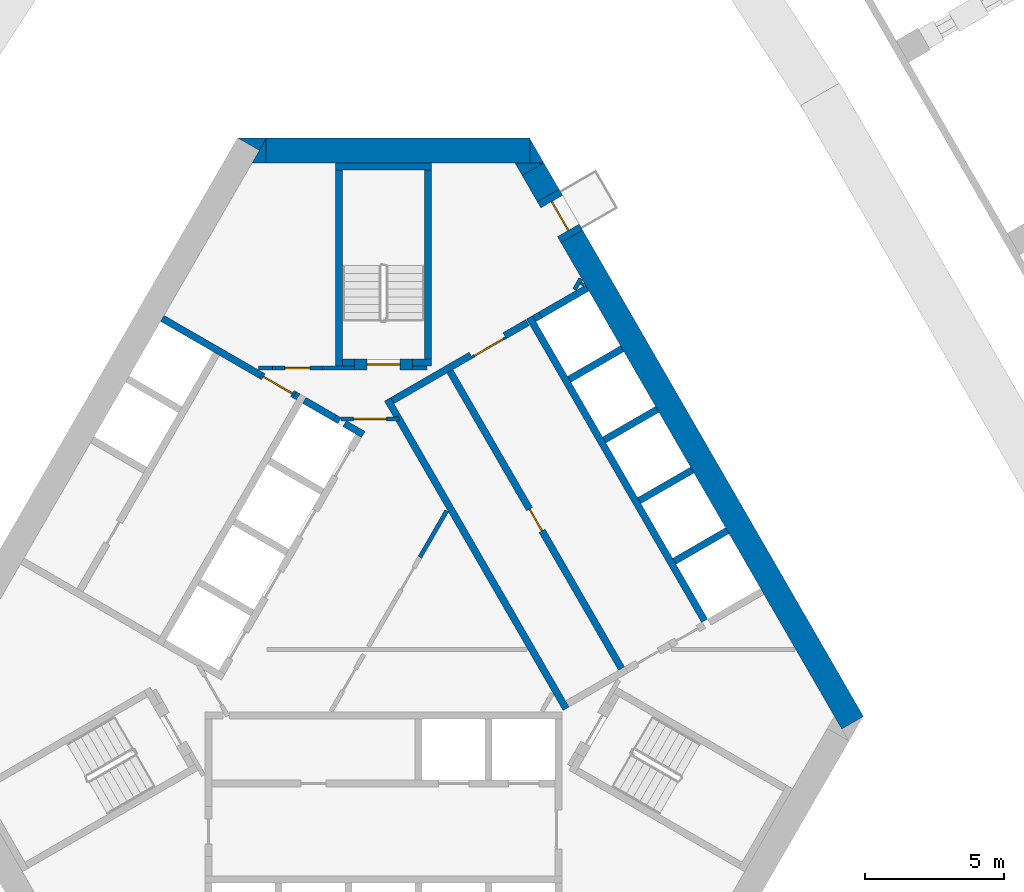
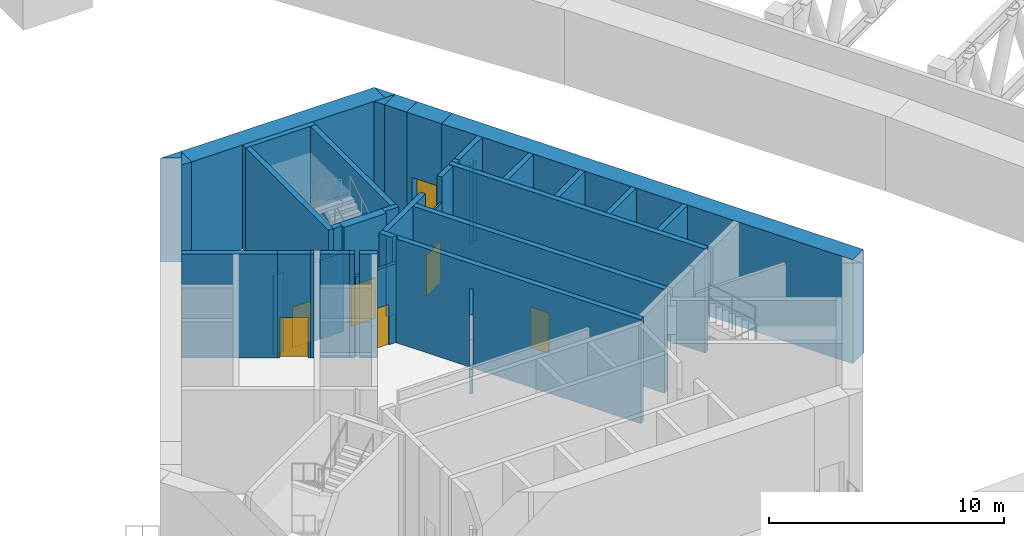
# One storey, part 18 of 37: 40 walls, 7 doors, 7 openings.
"""IFC4 building model written with IfcOpenShell, lengths in metres."""

from ifc_helpers import new_model, si_unit, direction, frame, frame_2d, origin, place, context, subcontext, project, spatial, polyline, rectangle, outline, extrude, material, layer, layer_set, type_object, element, fill, save


model = new_model("IFC4")

# Units and contexts
model_context = context("Model", 3, precision=1e-05, world=origin(), true_north=direction((0.0, 1.0)))
body_context = subcontext(model_context, "Body", "Model", "MODEL_VIEW")
ifc_project = project(units=[si_unit("LENGTHUNIT", "METRE"), si_unit("AREAUNIT", "SQUARE_METRE"), si_unit("VOLUMEUNIT", "CUBIC_METRE"), si_unit("PLANEANGLEUNIT", "RADIAN"), si_unit("MASSUNIT", "GRAM", prefix="KILO")], contexts=[model_context])

# Site, building, storey
site_placement = place(None, origin())
site = spatial("IfcSite", under=ifc_project, at=site_placement, CompositionType="ELEMENT")
building_placement = place(site_placement, origin())
building = spatial("IfcBuilding", under=site, at=building_placement, Name="Mestral Congress Tower", CompositionType="ELEMENT")
storey_placement = place(building_placement, frame((0.0, 0.0, 16.199951171875)))
storey = spatial("IfcBuildingStorey", under=building, at=storey_placement, Name="L03", CompositionType="ELEMENT", Elevation=16.199951171875)

# Walls
ifc_material_1 = material(Name="Fire-rated board partition")
ifc_layer_1 = layer(ifc_material_1, 0.14990234375)
ifc_layer_set_1 = layer_set([ifc_layer_1], Name="Fire-rated board partition")
wall_type_1 = type_object("IfcWallType", Name="Core partition 150", PredefinedType="PARTITIONING", material=ifc_layer_set_1)
wall_1_placement = place(storey_placement, frame((-3.99658203125, 8.625244140625, 0.0), z_axis=(0.0, 0.0, 1.0), x_axis=(-1.0, 0.0, 0.0)))
element("IfcWall", 1, at=wall_1_placement, inside=storey, type_object=wall_type_1, Name="L03 core wall", PredefinedType="PARTITIONING", context=body_context, shape_type="SweptSolid", body=[
    extrude(rectangle(XDim=0.502197265625, YDim=0.14990234375, at=frame_2d((0.2509765625, 0.0))), origin(), (0.0, 0.0, 1.0), 4.10009765625),
])
wall_2_placement = place(storey_placement, frame((-2.1962890625, 8.62548828125, 0.0), z_axis=(0.0, 0.0, 1.0), x_axis=(1.0, 0.0, 0.0)))
element("IfcWall", 2, at=wall_2_placement, inside=storey, type_object=wall_type_1, Name="L03 core wall", PredefinedType="PARTITIONING", context=body_context, shape_type="SweptSolid", body=[
    extrude(rectangle(XDim=1.146240234375, YDim=0.14990234375, at=frame_2d((0.5732421875, 0.0))), origin(), (0.0, 0.0, 1.0), 4.10009765625),
])
wall_3_placement = place(storey_placement, frame((1.311767578125, 1.822021484375, 0.0), z_axis=(0.0, 0.0, 1.0), x_axis=(0.500003549559, 0.866023354436, 0.0)))
element("IfcWall", 3, at=wall_3_placement, inside=storey, type_object=wall_type_1, Name="L03 core wall", PredefinedType="PARTITIONING", context=body_context, shape_type="SweptSolid", body=[
    extrude(rectangle(XDim=1.9296875, YDim=0.14990234375, at=frame_2d((0.96484375, 0.0))), origin(), (0.0, 0.0, 1.0), 4.10009765625),
])
wall_4_placement = place(storey_placement, frame((1.050048828125, 8.62548828125, 0.0), z_axis=(0.0, 0.0, 1.0), x_axis=(1.0, 0.0, 0.0)))
element("IfcWall", 4, at=wall_4_placement, inside=storey, type_object=wall_type_1, Name="L03 core wall", PredefinedType="PARTITIONING", context=body_context, shape_type="SweptSolid", body=[
    extrude(rectangle(XDim=0.513916015625, YDim=0.14990234375, at=frame_2d((0.2568359375, 0.0))), origin(), (0.0, 0.0, 1.0), 4.10009765625),
])
wall_5_placement = place(storey_placement, frame((6.87158203125, 11.44970703125, 0.0), z_axis=(0.0, 0.0, 1.0), x_axis=(0.499846793097, 0.866113839764, 0.0)))
element("IfcWall", 5, at=wall_5_placement, inside=storey, type_object=wall_type_1, Name="L03 core wall", PredefinedType="PARTITIONING", context=body_context, shape_type="SweptSolid", body=[
    extrude(rectangle(XDim=0.453369140625, YDim=0.14990234375, at=frame_2d((0.2265625, 0.0))), origin(), (0.0, 0.0, 1.0), 4.10009765625),
])
wall_6_placement = place(storey_placement, frame((7.13134765625, 11.599609375, 0.0), z_axis=(0.0, 0.0, 1.0), x_axis=(0.498600033135, 0.866832167699, 0.0)))
element("IfcWall", 6, at=wall_6_placement, inside=storey, type_object=wall_type_1, Name="L03 core wall", PredefinedType="PARTITIONING", context=body_context, shape_type="SweptSolid", body=[
    extrude(rectangle(XDim=0.106689453125, YDim=0.14990234375, at=frame_2d((0.05322265625, 0.0))), origin(), (0.0, 0.0, 1.0), 4.10009765625),
])

# Wall, opening, door
wall_7_placement = place(storey_placement, frame((-2.1962890625, 8.625, 0.0), z_axis=(0.0, 0.0, 1.0), x_axis=(-1.0, 0.0, 0.0)))
wall_7 = element("IfcWall", 7, at=wall_7_placement, inside=storey, type_object=wall_type_1, Name="L03 door wall", PredefinedType="PARTITIONING", context=body_context, shape_type="SweptSolid", body=[
    extrude(rectangle(XDim=1.800048828125, YDim=0.14990234375, at=frame_2d((0.89990234375, 0.0))), origin(), (0.0, 0.0, 1.0), 4.10009765625),
])
opening_1_placement = place(wall_7_placement, frame((0.449951171875, 0.0, 0.0)))
opening_1 = element("IfcOpeningElement", 8, at=opening_1_placement, cuts=wall_7, Name="Opening TD2", PredefinedType="OPENING", context=body_context, shape_type="SweptSolid", body=[
    extrude(rectangle(XDim=0.89990234375, YDim=2.10009765625, at=frame_2d((0.449951171875, 1.050048828125))), frame((0.0, 0.0849609375, 0.0), z_axis=(0.0, -1.0, 0.0), x_axis=(1.0, 0.0, 0.0)), (0.0, 0.0, 1.0), 0.169921875),
])
ifc_material_2 = material(Name="Fire-rated steel door set", Category="steel")
door_type_1 = type_object("IfcDoorType", Name="Core door SR 900x2100", OperationType="SINGLE_SWING_LEFT", PredefinedType="DOOR", material=ifc_material_2)
door_1_placement = place(opening_1_placement, origin())
door_1 = element("IfcDoor", 9, at=door_1_placement, inside=storey, type_object=door_type_1, Name="Door TD2", OperationType="SINGLE_SWING_LEFT", OverallHeight=2.10009765625, OverallWidth=0.89990234375, PredefinedType="DOOR", context=body_context, shape_type="SweptSolid", body=[
    extrude(rectangle(XDim=0.89990234375, YDim=2.10009765625, at=frame_2d((0.449951171875, 1.050048828125))), frame((0.0, 0.02490234375, 0.0), z_axis=(0.0, -1.0, 0.0), x_axis=(1.0, 0.0, 0.0)), (0.0, 0.0, 1.0), 0.050048828125),
])
fill(opening_1, door_1)

wall_8_placement = place(storey_placement, frame((-1.534423828125, 6.800048828125, 0.0), z_axis=(0.0, 0.0, 1.0), x_axis=(1.0, 0.0, 0.0)))
wall_8 = element("IfcWall", 10, at=wall_8_placement, inside=storey, type_object=wall_type_1, Name="L03 door wall", PredefinedType="PARTITIONING", context=body_context, shape_type="SweptSolid", body=[
    extrude(rectangle(XDim=2.099853515625, YDim=0.14990234375, at=frame_2d((1.0498046875, 0.0))), origin(), (0.0, 0.0, 1.0), 4.10009765625),
])
opening_2_placement = place(wall_8_placement, frame((0.449951171875, 0.0, 0.0)))
opening_2 = element("IfcOpeningElement", 11, at=opening_2_placement, cuts=wall_8, Name="Opening CD2-FF", PredefinedType="OPENING", context=body_context, shape_type="SweptSolid", body=[
    extrude(rectangle(XDim=1.199951171875, YDim=2.10009765625, at=frame_2d((0.60009765625, 1.050048828125))), frame((0.0, 0.0849609375, 0.0), z_axis=(0.0, -1.0, 0.0), x_axis=(1.0, 0.0, 0.0)), (0.0, 0.0, 1.0), 0.169921875),
])
door_type_2 = type_object("IfcDoorType", Name="Core door CD 1200x2100", OperationType="SINGLE_SWING_LEFT", PredefinedType="DOOR", material=ifc_material_2)
door_2_placement = place(opening_2_placement, origin())
door_2 = element("IfcDoor", 12, at=door_2_placement, inside=storey, type_object=door_type_2, Name="Door CD2-FF", OperationType="SINGLE_SWING_LEFT", OverallHeight=2.10009765625, OverallWidth=1.199951171875, PredefinedType="DOOR", context=body_context, shape_type="SweptSolid", body=[
    extrude(rectangle(XDim=1.199951171875, YDim=2.10009765625, at=frame_2d((0.60009765625, 1.050048828125))), frame((0.0, 0.02490234375, 0.0), z_axis=(0.0, -1.0, 0.0), x_axis=(1.0, 0.0, 0.0)), (0.0, 0.0, 1.0), 0.050048828125),
])
fill(opening_2, door_2)

ifc_layer_2 = layer(ifc_material_1, 0.090087890625)
ifc_layer_set_2 = layer_set([ifc_layer_2], Name="Fire-rated board partition")
wall_type_2 = type_object("IfcWallType", Name="Core partition 150 door-wall 90", PredefinedType="PARTITIONING", material=ifc_layer_set_2)
wall_9_placement = place(storey_placement, frame((3.182861328125, 9.02001953125, 0.0), z_axis=(0.0, 0.0, 1.0), x_axis=(0.866034573852, 0.49998411664, 0.0)))
wall_9 = element("IfcWall", 13, at=wall_9_placement, inside=storey, type_object=wall_type_2, Name="L03 door wall", PredefinedType="PARTITIONING", context=body_context, shape_type="SweptSolid", body=[
    extrude(rectangle(XDim=1.39990234375, YDim=0.090087890625, at=frame_2d((0.699951171875, 0.0))), origin(), (0.0, 0.0, 1.0), 4.10009765625),
])
opening_3_placement = place(wall_9_placement, frame((0.10009765625, 0.0, 0.0)))
opening_3 = element("IfcOpeningElement", 14, at=opening_3_placement, cuts=wall_9, Name="Opening LB1-WL2", PredefinedType="OPENING", context=body_context, shape_type="SweptSolid", body=[
    extrude(rectangle(XDim=1.199951171875, YDim=2.10009765625, at=frame_2d((0.60009765625, 1.050048828125))), frame((0.0, 0.054931640625, 0.0), z_axis=(0.0, -1.0, 0.0), x_axis=(1.0, 0.0, 0.0)), (0.0, 0.0, 1.0), 0.110107421875),
])
door_type_3 = type_object("IfcDoorType", Name="Core door LB 1200x2100", OperationType="SINGLE_SWING_LEFT", PredefinedType="DOOR", material=ifc_material_2)
door_3_placement = place(opening_3_placement, origin())
door_3 = element("IfcDoor", 15, at=door_3_placement, inside=storey, type_object=door_type_3, Name="Door LB1-WL2", OperationType="SINGLE_SWING_LEFT", OverallHeight=2.10009765625, OverallWidth=1.199951171875, PredefinedType="DOOR", context=body_context, shape_type="SweptSolid", body=[
    extrude(rectangle(XDim=1.199951171875, YDim=2.10009765625, at=frame_2d((0.60009765625, 1.050048828125))), frame((0.0, 0.02490234375, 0.0), z_axis=(0.0, -1.0, 0.0), x_axis=(1.0, 0.0, 0.0)), (0.0, 0.0, 1.0), 0.050048828125),
])
fill(opening_3, door_3)

# Walls
ifc_material_3 = material(Name="Concrete C60/75", Category="concrete")
ifc_layer_3 = layer(ifc_material_3, 0.89990234375)
ifc_layer_set_3 = layer_set([ifc_layer_3], Name="Concrete C60/75")
wall_type_3 = type_object("IfcWallType", Name="Core wall RC 900", PredefinedType="SOLIDWALL", material=ifc_layer_set_3)
wall_10_placement = place(storey_placement, frame((6.77587890625, 13.36376953125, 0.0), z_axis=(0.0, 0.0, 1.0), x_axis=(0.500004177138, -0.8660229921, 0.0)))
element("IfcWall", 16, at=wall_10_placement, inside=storey, type_object=wall_type_3, Name="L03 core wall", PredefinedType="SOLIDWALL", context=body_context, shape_type="SweptSolid", body=[
    extrude(rectangle(XDim=20.203857421875, YDim=0.89990234375, at=frame_2d((10.10205078125, 0.0))), origin(), (0.0, 0.0, 1.0), 5.400146484375),
])
placement = place(storey_placement, origin())
element("IfcWall", 17, at=placement, inside=storey, type_object=wall_type_3, Name="L03 core wall", PredefinedType="SOLIDWALL", context=body_context, shape_type="SweptSolid", body=[
    extrude(outline(polyline([(-4.214599609375, 16.89990234375), (-4.46875, 16.460205078125), (-5.230712890625, 16.89990234375), (-4.214599609375, 16.89990234375)])), origin(), (0.0, 0.0, 1.0), 5.400146484375),
])
wall_12_placement = place(storey_placement, frame((-4.224365234375, 16.449951171875, 0.0), z_axis=(0.0, 0.0, 1.0), x_axis=(1.0, 0.0, 0.0)))
element("IfcWall", 18, at=wall_12_placement, inside=storey, type_object=wall_type_3, Name="L03 core wall", PredefinedType="SOLIDWALL", context=body_context, shape_type="SweptSolid", body=[
    extrude(rectangle(XDim=9.48779296875, YDim=0.89990234375, at=frame_2d((4.743896484375, 0.0))), origin(), (0.0, 0.0, 1.0), 5.400146484375),
])
element("IfcWall", 19, at=placement, inside=storey, type_object=wall_type_3, Name="L03 core wall", PredefinedType="SOLIDWALL", context=body_context, shape_type="SweptSolid", body=[
    extrude(outline(polyline([(5.265380859375, 16.0), (5.265380859375, 16.8798828125), (5.7734375, 16.0), (5.265380859375, 16.0)])), origin(), (0.0, 0.0, 1.0), 5.400146484375),
])
element("IfcWall", 20, at=placement, inside=storey, type_object=wall_type_3, Name="L03 core wall", PredefinedType="SOLIDWALL", context=body_context, shape_type="SweptSolid", body=[
    extrude(outline(polyline([(-4.734375, 16.0), (-4.226318359375, 16.8798828125), (-4.226318359375, 16.0), (-4.734375, 16.0)])), origin(), (0.0, 0.0, 1.0), 5.400146484375),
])
wall_15_placement = place(storey_placement, frame((5.92578125, 14.836181640625, 0.0), z_axis=(0.0, 0.0, 1.0), x_axis=(-0.500076735116, 0.865981096212, 0.0)))
element("IfcWall", 21, at=wall_15_placement, inside=storey, type_object=wall_type_3, Name="L03 core wall", PredefinedType="SOLIDWALL", context=body_context, shape_type="SweptSolid", body=[
    extrude(rectangle(XDim=1.093505859375, YDim=0.89990234375, at=frame_2d((0.546875, 0.0))), origin(), (0.0, 0.0, 1.0), 5.400146484375),
])
element("IfcWall", 22, at=placement, inside=storey, type_object=wall_type_3, Name="L03 core wall", PredefinedType="SOLIDWALL", context=body_context, shape_type="SweptSolid", body=[
    extrude(outline(polyline([(4.734375, 16.0), (5.750244140625, 16.0), (4.98828125, 15.56005859375), (4.734375, 16.0)])), origin(), (0.0, 0.0, 1.0), 5.400146484375),
])

# Wall, opening, door
wall_17_placement = place(storey_placement, frame((5.92578125, 14.836181640625, 0.0), z_axis=(0.0, 0.0, 1.0), x_axis=(0.500062241894, -0.865989465428, 0.0)))
wall_17 = element("IfcWall", 23, at=wall_17_placement, inside=storey, type_object=wall_type_3, Name="L03 door wall", PredefinedType="SOLIDWALL", context=body_context, shape_type="SweptSolid", body=[
    extrude(rectangle(XDim=1.699951171875, YDim=0.89990234375, at=frame_2d((0.85009765625, 0.0))), origin(), (0.0, 0.0, 1.0), 5.400146484375),
])
opening_4_placement = place(wall_17_placement, frame((0.25, 0.0, 0.0)))
opening_4 = element("IfcOpeningElement", 24, at=opening_4_placement, cuts=wall_17, Name="Opening XD2", PredefinedType="OPENING", context=body_context, shape_type="SweptSolid", body=[
    extrude(rectangle(XDim=1.199951171875, YDim=2.10009765625, at=frame_2d((0.60009765625, 1.050048828125))), frame((0.0, 0.4599609375, 0.0), z_axis=(0.0, -1.0, 0.0), x_axis=(1.0, 0.0, 0.0)), (0.0, 0.0, 1.0), 0.919921875),
])
door_type_4 = type_object("IfcDoorType", Name="Core door XD 1200x2100", OperationType="SINGLE_SWING_LEFT", PredefinedType="DOOR", material=ifc_material_2)
door_4_placement = place(opening_4_placement, origin())
door_4 = element("IfcDoor", 25, at=door_4_placement, inside=storey, type_object=door_type_4, Name="Door XD2", OperationType="SINGLE_SWING_LEFT", OverallHeight=2.10009765625, OverallWidth=1.199951171875, PredefinedType="DOOR", context=body_context, shape_type="SweptSolid", body=[
    extrude(rectangle(XDim=1.199951171875, YDim=2.10009765625, at=frame_2d((0.60009765625, 1.050048828125))), frame((0.0, 0.02490234375, 0.0), z_axis=(0.0, -1.0, 0.0), x_axis=(1.0, 0.0, 0.0)), (0.0, 0.0, 1.0), 0.050048828125),
])
fill(opening_4, door_4)

# Walls
ifc_layer_4 = layer(ifc_material_3, 0.25)
ifc_layer_set_4 = layer_set([ifc_layer_4], Name="Concrete C60/75")
wall_type_4 = type_object("IfcWallType", Name="Shaft wall RC 250", PredefinedType="SOLIDWALL", material=ifc_layer_set_4)
element("IfcWall", 26, at=placement, inside=storey, type_object=wall_type_4, Name="L03 core wall", PredefinedType="SOLIDWALL", context=body_context, shape_type="SweptSolid", body=[
    extrude(outline(polyline([(6.551513671875, -3.34765625), (6.676513671875, -3.564208984375), (6.460205078125, -3.689208984375), (0.447509765625, 6.724853515625), (0.5654296875, 6.724853515625), (0.565673828125, 6.724853515625), (0.565673828125, 6.72509765625), (0.565673828125, 6.875), (0.565673828125, 6.875), (0.5654296875, 6.875), (0.36083984375, 6.875), (0.03515625, 7.439208984375), (0.251708984375, 7.564208984375), (0.376708984375, 7.34765625), (6.551513671875, -3.34765625)])), origin(), (0.0, 0.0, 1.0), 5.400146484375),
])
wall_19_placement = place(storey_placement, frame((11.552978515625, -0.460205078125, 0.0), z_axis=(0.0, 0.0, 1.0), x_axis=(-0.500004791531, 0.866022637375, 0.0)))
element("IfcWall", 27, at=wall_19_placement, inside=storey, type_object=wall_type_4, Name="L03 core wall", PredefinedType="SOLIDWALL", context=body_context, shape_type="SweptSolid", body=[
    extrude(rectangle(XDim=12.60009765625, YDim=0.25, at=frame_2d((6.300048828125, 0.0))), origin(), (0.0, 0.0, 1.0), 5.400146484375),
])
wall_20_placement = place(storey_placement, frame((4.3583984375, 9.791015625, 0.0), z_axis=(0.0, 0.0, 1.0), x_axis=(0.866100000774, 0.49987077196, 0.0)))
element("IfcWall", 28, at=wall_20_placement, inside=storey, type_object=wall_type_4, Name="L03 core wall", PredefinedType="SOLIDWALL", context=body_context, shape_type="SweptSolid", body=[
    extrude(rectangle(XDim=0.949951171875, YDim=0.25, at=frame_2d((0.47509765625, 0.0))), origin(), (0.0, 0.0, 1.0), 5.400146484375),
])
wall_21_placement = place(storey_placement, frame((0.314208984375, 7.455810546875, 0.0), z_axis=(0.0, 0.0, 1.0), x_axis=(0.866013897511, 0.50001992892, 0.0)))
element("IfcWall", 29, at=wall_21_placement, inside=storey, type_object=wall_type_4, Name="L03 core wall", PredefinedType="SOLIDWALL", context=body_context, shape_type="SweptSolid", body=[
    extrude(rectangle(XDim=3.267822265625, YDim=0.25, at=frame_2d((1.6337890625, 0.0))), origin(), (0.0, 0.0, 1.0), 5.400146484375),
])
wall_22_placement = place(storey_placement, frame((5.469482421875, 10.57666015625, 0.0), z_axis=(0.0, 0.0, 1.0), x_axis=(0.499919672301, -0.866071776036, 0.0)))
element("IfcWall", 30, at=wall_22_placement, inside=storey, type_object=wall_type_4, Name="L03 core wall", PredefinedType="SOLIDWALL", context=body_context, shape_type="SweptSolid", body=[
    extrude(rectangle(XDim=0.25, YDim=0.25, at=frame_2d((0.125, 0.0))), origin(), (0.0, 0.0, 1.0), 5.400146484375),
])
wall_23_placement = place(storey_placement, frame((5.64013671875, 10.531005859375, 0.0), z_axis=(0.0, 0.0, 1.0), x_axis=(0.866000020948, 0.500043961785, 0.0)))
element("IfcWall", 31, at=wall_23_placement, inside=storey, type_object=wall_type_4, Name="L03 core wall", PredefinedType="SOLIDWALL", context=body_context, shape_type="SweptSolid", body=[
    extrude(rectangle(XDim=1.949951171875, YDim=0.25, at=frame_2d((0.97509765625, 0.0))), origin(), (0.0, 0.0, 1.0), 5.400146484375),
])
for number, where, z_axis, x_axis, name in (
    (32, (8.5888671875, 9.323486328125, 0.0), (0.0, 0.0, 1.0), (-0.866008176907, -0.50002983664, 0.0), "L03 core wall"),
    (33, (7.943603515625, 6.041259765625, 0.0), (0.0, 0.0, 1.0), (0.86605622881, 0.499946605688, 0.0), "L03 core wall"),
    (34, (9.20361328125, 3.85888671875, 0.0), (0.0, 0.0, 1.0), (0.86605622881, 0.499946605688, 0.0), "L03 core wall"),
    (35, (10.463623046875, 1.676513671875, 0.0), (0.0, 0.0, 1.0), (0.86605622881, 0.499946605688, 0.0), "L03 core wall"),
):
    element("IfcWall", number, at=place(storey_placement, frame(where, z_axis=z_axis, x_axis=x_axis)), inside=storey, type_object=wall_type_4, Name=name, PredefinedType="SOLIDWALL", context=body_context, shape_type="SweptSolid", body=[
        extrude(rectangle(XDim=2.199951171875, YDim=0.25, at=frame_2d((1.10009765625, 0.0))), origin(), (0.0, 0.0, 1.0), 5.400146484375),
    ])
wall_24_placement = place(storey_placement, frame((-1.75830078125, 6.834716796875, 0.0), z_axis=(0.0, 0.0, 1.0), x_axis=(0.865982457891, -0.500074377092, 0.0)))
element("IfcWall", 36, at=wall_24_placement, inside=storey, type_object=wall_type_4, Name="L03 core wall", PredefinedType="SOLIDWALL", context=body_context, shape_type="SweptSolid", body=[
    extrude(rectangle(XDim=0.2001953125, YDim=0.25, at=frame_2d((0.10009765625, 0.0))), origin(), (0.0, 0.0, 1.0), 5.400146484375),
])
wall_25_placement = place(storey_placement, frame((-1.760009765625, 6.835693359375, 0.0), z_axis=(0.0, 0.0, 1.0), x_axis=(-0.865952863304, 0.500125622755, 0.0)))
element("IfcWall", 37, at=wall_25_placement, inside=storey, type_object=wall_type_4, Name="L03 core wall", PredefinedType="SOLIDWALL", context=body_context, shape_type="SweptSolid", body=[
    extrude(rectangle(XDim=1.258056640625, YDim=0.25, at=frame_2d((0.62890625, 0.0))), origin(), (0.0, 0.0, 1.0), 5.400146484375),
])
wall_26_placement = place(storey_placement, frame((-0.7275390625, 6.23974609375, 0.0), z_axis=(0.0, 0.0, 1.0), x_axis=(-0.865955664968, 0.500120771724, 0.0)))
element("IfcWall", 38, at=wall_26_placement, inside=storey, type_object=wall_type_4, Name="L03 core wall", PredefinedType="SOLIDWALL", context=body_context, shape_type="SweptSolid", body=[
    extrude(rectangle(XDim=0.778076171875, YDim=0.25, at=frame_2d((0.38916015625, 0.0))), origin(), (0.0, 0.0, 1.0), 5.400146484375),
])
element("IfcWall", 39, at=placement, inside=storey, type_object=wall_type_4, Name="L03 core wall", PredefinedType="SOLIDWALL", context=body_context, shape_type="SweptSolid", body=[
    extrude(outline(polyline([(-3.12841796875, 7.4814453125), (-3.2587890625, 7.556640625), (-3.1337890625, 7.773193359375), (-3.00341796875, 7.697998046875), (-3.12841796875, 7.4814453125)])), origin(), (0.0, 0.0, 1.0), 5.400146484375),
])
wall_28_placement = place(storey_placement, frame((-7.958984375, 10.414794921875, 0.0), z_axis=(0.0, 0.0, 1.0), x_axis=(0.866020958405, -0.500007699544, 0.0)))
element("IfcWall", 40, at=wall_28_placement, inside=storey, type_object=wall_type_4, Name="L03 core wall", PredefinedType="SOLIDWALL", context=body_context, shape_type="SweptSolid", body=[
    extrude(rectangle(XDim=4.099609375, YDim=0.25, at=frame_2d((2.0498046875, 0.0))), origin(), (0.0, 0.0, 1.0), 5.400146484375),
])

# Wall, opening, door
wall_29_placement = place(storey_placement, frame((8.565185546875, -2.185302734375, 0.0), z_axis=(0.0, 0.0, 1.0), x_axis=(-0.499997954832, 0.866026584559, 0.0)))
wall_29 = element("IfcWall", 41, at=wall_29_placement, inside=storey, type_object=wall_type_4, Name="L03 door wall", PredefinedType="SOLIDWALL", context=body_context, shape_type="SweptSolid", body=[
    extrude(rectangle(XDim=12.35009765625, YDim=0.25, at=frame_2d((6.175048828125, 0.0))), origin(), (0.0, 0.0, 1.0), 5.400146484375),
])
opening_5_placement = place(wall_29_placement, frame((5.72509765625, 0.0, 0.0)))
opening_5 = element("IfcOpeningElement", 42, at=opening_5_placement, cuts=wall_29, Name="Opening SR-NEB1", PredefinedType="OPENING", context=body_context, shape_type="SweptSolid", body=[
    extrude(rectangle(XDim=0.89990234375, YDim=2.10009765625, at=frame_2d((0.449951171875, 1.050048828125))), frame((0.0, 0.135009765625, 0.0), z_axis=(0.0, -1.0, 0.0), x_axis=(1.0, 0.0, 0.0)), (0.0, 0.0, 1.0), 0.27001953125),
])
door_5_placement = place(opening_5_placement, origin())
door_5 = element("IfcDoor", 43, at=door_5_placement, inside=storey, type_object=door_type_1, Name="Door SR-NEB1", OperationType="SINGLE_SWING_LEFT", OverallHeight=2.10009765625, OverallWidth=0.89990234375, PredefinedType="DOOR", context=body_context, shape_type="SweptSolid", body=[
    extrude(rectangle(XDim=0.89990234375, YDim=2.10009765625, at=frame_2d((0.449951171875, 1.050048828125))), frame((0.0, 0.02490234375, 0.0), z_axis=(0.0, -1.0, 0.0), x_axis=(1.0, 0.0, 0.0)), (0.0, 0.0, 1.0), 0.050048828125),
])
fill(opening_5, door_5)

wall_30_placement = place(storey_placement, frame((-4.40869140625, 8.364990234375, 0.0), z_axis=(0.0, 0.0, 1.0), x_axis=(0.866034573852, -0.49998411664, 0.0)))
wall_30 = element("IfcWall", 44, at=wall_30_placement, inside=storey, type_object=wall_type_4, Name="L03 door wall", PredefinedType="SOLIDWALL", context=body_context, shape_type="SweptSolid", body=[
    extrude(rectangle(XDim=1.39990234375, YDim=0.25, at=frame_2d((0.699951171875, 0.0))), origin(), (0.0, 0.0, 1.0), 5.400146484375),
])
opening_6_placement = place(wall_30_placement, frame((0.10009765625, 0.0, 0.0)))
opening_6 = element("IfcOpeningElement", 45, at=opening_6_placement, cuts=wall_30, Name="Opening LB2-WL2", PredefinedType="OPENING", context=body_context, shape_type="SweptSolid", body=[
    extrude(rectangle(XDim=1.199951171875, YDim=2.10009765625, at=frame_2d((0.60009765625, 1.050048828125))), frame((0.0, 0.135009765625, 0.0), z_axis=(0.0, -1.0, 0.0), x_axis=(1.0, 0.0, 0.0)), (0.0, 0.0, 1.0), 0.27001953125),
])
door_6_placement = place(opening_6_placement, origin())
door_6 = element("IfcDoor", 46, at=door_6_placement, inside=storey, type_object=door_type_3, Name="Door LB2-WL2", OperationType="SINGLE_SWING_LEFT", OverallHeight=2.10009765625, OverallWidth=1.199951171875, PredefinedType="DOOR", context=body_context, shape_type="SweptSolid", body=[
    extrude(rectangle(XDim=1.199951171875, YDim=2.10009765625, at=frame_2d((0.60009765625, 1.050048828125))), frame((0.0, 0.02490234375, 0.0), z_axis=(0.0, -1.0, 0.0), x_axis=(1.0, 0.0, 0.0)), (0.0, 0.0, 1.0), 0.050048828125),
])
fill(opening_6, door_6)

# Walls
ifc_layer_5 = layer(ifc_material_3, 0.25)
ifc_layer_set_5 = layer_set([ifc_layer_5], Name="Concrete C60/75")
wall_type_5 = type_object("IfcWallType", Name="Stair wall RC 250", PredefinedType="SOLIDWALL", material=ifc_layer_set_5)
wall_31_placement = place(storey_placement, frame((-1.72509765625, 15.875, 0.0), z_axis=(0.0, 0.0, 1.0), x_axis=(1.0, 0.0, 0.0)))
element("IfcWall", 47, at=wall_31_placement, inside=storey, type_object=wall_type_5, Name="L03 core wall", PredefinedType="SOLIDWALL", context=body_context, shape_type="SweptSolid", body=[
    extrude(rectangle(XDim=3.4501953125, YDim=0.25, at=frame_2d((1.72509765625, 0.0))), origin(), (0.0, 0.0, 1.0), 5.400146484375),
])
wall_32_placement = place(storey_placement, frame((1.60009765625, 8.949951171875, 0.0), z_axis=(0.0, 0.0, 1.0), x_axis=(0.0, 1.0, 0.0)))
element("IfcWall", 48, at=wall_32_placement, inside=storey, type_object=wall_type_5, Name="L03 core wall", PredefinedType="SOLIDWALL", context=body_context, shape_type="SweptSolid", body=[
    extrude(rectangle(XDim=6.800048828125, YDim=0.25, at=frame_2d((3.39990234375, 0.0))), origin(), (0.0, 0.0, 1.0), 5.400146484375),
])
wall_33_placement = place(storey_placement, frame((1.050048828125, 8.824951171875, 0.0), z_axis=(0.0, 0.0, 1.0), x_axis=(1.0, 0.0, 0.0)))
element("IfcWall", 49, at=wall_33_placement, inside=storey, type_object=wall_type_5, Name="L03 core wall", PredefinedType="SOLIDWALL", context=body_context, shape_type="SweptSolid", body=[
    extrude(rectangle(XDim=0.675048828125, YDim=0.25, at=frame_2d((0.33740234375, 0.0))), origin(), (0.0, 0.0, 1.0), 5.400146484375),
])
wall_34_placement = place(storey_placement, frame((-1.60009765625, 8.699951171875, 0.0), z_axis=(0.0, 0.0, 1.0), x_axis=(0.0, 1.0, 0.0)))
element("IfcWall", 50, at=wall_34_placement, inside=storey, type_object=wall_type_5, Name="L03 core wall", PredefinedType="SOLIDWALL", context=body_context, shape_type="SweptSolid", body=[
    extrude(rectangle(XDim=7.050048828125, YDim=0.25, at=frame_2d((3.52490234375, 0.0))), origin(), (0.0, 0.0, 1.0), 5.400146484375),
])
wall_35_placement = place(storey_placement, frame((-1.47509765625, 8.824951171875, 0.0), z_axis=(0.0, 0.0, 1.0), x_axis=(1.0, 0.0, 0.0)))
element("IfcWall", 51, at=wall_35_placement, inside=storey, type_object=wall_type_5, Name="L03 core wall", PredefinedType="SOLIDWALL", context=body_context, shape_type="SweptSolid", body=[
    extrude(rectangle(XDim=0.425048828125, YDim=0.25, at=frame_2d((0.21240234375, 0.0))), origin(), (0.0, 0.0, 1.0), 5.400146484375),
])

# Wall, opening, door
ifc_layer_6 = layer(ifc_material_3, 0.39990234375)
ifc_layer_set_6 = layer_set([ifc_layer_6], Name="Concrete C60/75")
wall_type_6 = type_object("IfcWallType", Name="Stair wall RC 250 door-wall 400", PredefinedType="SOLIDWALL", material=ifc_layer_set_6)
wall_36_placement = place(storey_placement, frame((1.050048828125, 8.75, 0.0), z_axis=(0.0, 0.0, 1.0), x_axis=(-1.0, 0.0, 0.0)))
wall_36 = element("IfcWall", 52, at=wall_36_placement, inside=storey, type_object=wall_type_6, Name="L03 door wall", PredefinedType="SOLIDWALL", context=body_context, shape_type="SweptSolid", body=[
    extrude(rectangle(XDim=2.10009765625, YDim=0.39990234375, at=frame_2d((1.050048828125, 0.0))), origin(), (0.0, 0.0, 1.0), 5.400146484375),
])
opening_7_placement = place(wall_36_placement, frame((0.449951171875, 0.0, 0.0)))
opening_7 = element("IfcOpeningElement", 53, at=opening_7_placement, cuts=wall_36, Name="Opening ST-D2", PredefinedType="OPENING", context=body_context, shape_type="SweptSolid", body=[
    extrude(rectangle(XDim=1.199951171875, YDim=2.10009765625, at=frame_2d((0.60009765625, 1.050048828125))), frame((0.0, 0.2099609375, 0.0), z_axis=(0.0, -1.0, 0.0), x_axis=(1.0, 0.0, 0.0)), (0.0, 0.0, 1.0), 0.419921875),
])
door_type_5 = type_object("IfcDoorType", Name="Core door ST 1200x2100", OperationType="SINGLE_SWING_LEFT", PredefinedType="DOOR", material=ifc_material_2)
door_7_placement = place(opening_7_placement, origin())
door_7 = element("IfcDoor", 54, at=door_7_placement, inside=storey, type_object=door_type_5, Name="Door ST-D2", OperationType="SINGLE_SWING_LEFT", OverallHeight=2.10009765625, OverallWidth=1.199951171875, PredefinedType="DOOR", context=body_context, shape_type="SweptSolid", body=[
    extrude(rectangle(XDim=1.199951171875, YDim=2.10009765625, at=frame_2d((0.60009765625, 1.050048828125))), frame((0.0, 0.02490234375, 0.0), z_axis=(0.0, -1.0, 0.0), x_axis=(1.0, 0.0, 0.0)), (0.0, 0.0, 1.0), 0.050048828125),
])
fill(opening_7, door_7)

save(model, "model.ifc")
